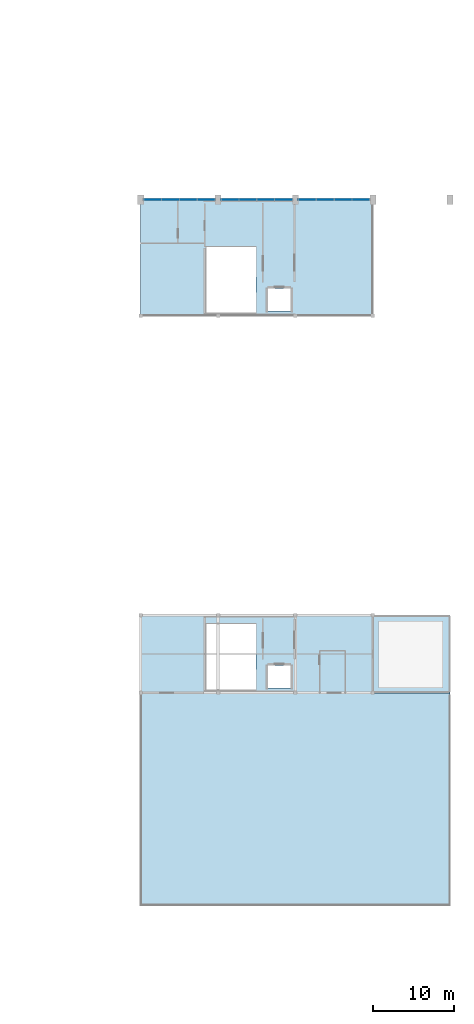
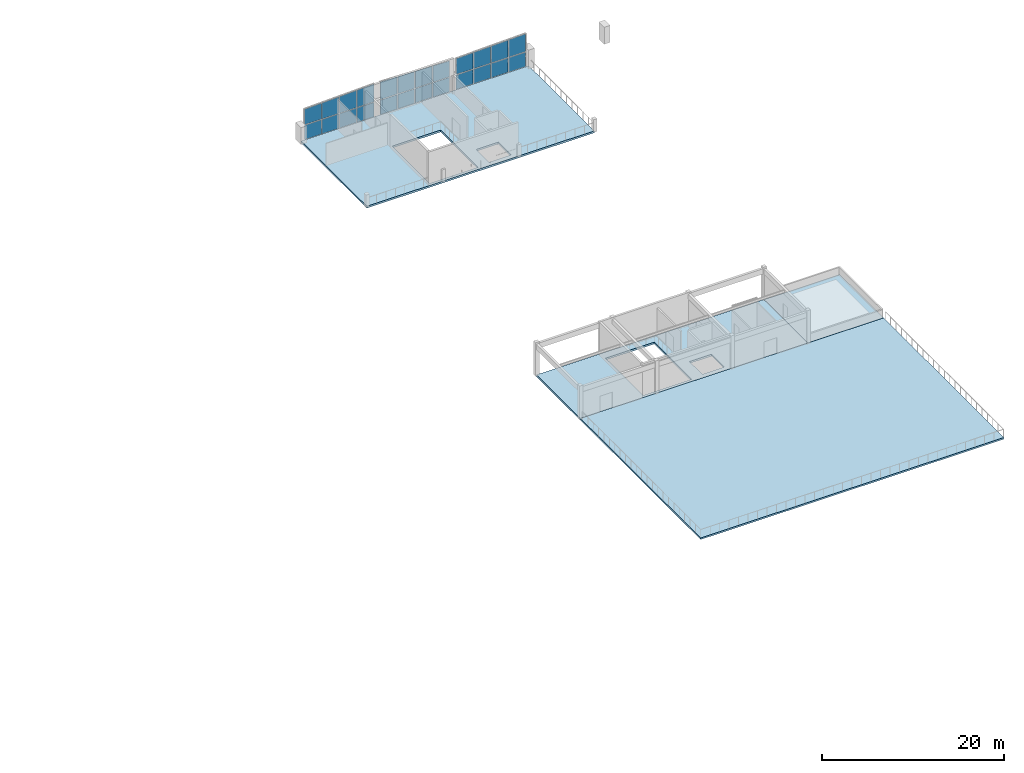
# One storey, part 13 of 22: 24 plates, 4 slabs, 3 elements without a shape of their own.
"""IFC4 building model written with IfcOpenShell, lengths in metres."""

from ifc_helpers import new_model, si_unit, direction, frame, origin, place, context, subcontext, project, spatial, polyline, outline, extrude, material, layer, layer_set, type_object, element, aggregate, save


model = new_model("IFC4")

# Units and contexts
model_context = context("Model", 3, precision=1e-05, world=origin(), true_north=direction((0.0, 1.0)))
body_context = subcontext(model_context, "Body", "Model", "MODEL_VIEW")
ifc_project = project(units=[si_unit("LENGTHUNIT", "METRE"), si_unit("AREAUNIT", "SQUARE_METRE"), si_unit("VOLUMEUNIT", "CUBIC_METRE"), si_unit("PLANEANGLEUNIT", "RADIAN"), si_unit("MASSUNIT", "GRAM", prefix="KILO")], contexts=[model_context])

# Site, building, storey
site_placement = place(None, origin())
site = spatial("IfcSite", under=ifc_project, at=site_placement, CompositionType="ELEMENT")
building_placement = place(site_placement, origin())
building = spatial("IfcBuilding", under=site, at=building_placement, Name="Suirenkawa Promenade Aquatics Centre", CompositionType="ELEMENT")
storey_placement = place(building_placement, frame((0.0, 0.0, 14.10009765625)))
storey = spatial("IfcBuildingStorey", under=building, at=storey_placement, Name="L03", CompositionType="ELEMENT", Elevation=14.10009765625)

# Curtain wall, plates
ifc_material_1 = material(Name="Anodised aluminium 6063-T6", Category="aluminium")
curtain_wall_type = type_object("IfcCurtainWallType", Name="CWAT-V2N-17", PredefinedType="NOTDEFINED", material=ifc_material_1)
curtain_wall_1_placement = place(storey_placement, origin())
curtain_wall_1 = element("IfcCurtainWall", 1, at=curtain_wall_1_placement, inside=storey, type_object=curtain_wall_type, Name="Curtain wall CWA-17 CW-036", PredefinedType="NOTDEFINED")
ifc_material_2 = material(Name="Ceramic-fritted low-SHGC double glazing", Category="glass")
ifc_layer_1 = layer(ifc_material_2, 0.031982421875, Name="Ceramic-fritted low-SHGC double glazing", Category="glass")
ifc_layer_set_1 = layer_set([ifc_layer_1], Name="Ceramic-fritted low-SHGC double glazing")
plate_type = type_object("IfcPlateType", Name="CWP-CLER-32", PredefinedType="CURTAIN_PANEL", material=ifc_layer_set_1)
plate_1_placement = place(storey_placement, frame((156.3740234375, 100.800048828125, 0.039794921875), z_axis=(0.0, 0.0, 1.0), x_axis=(1.0, 0.0, 0.0)))
plate_1 = element("IfcPlate", 2, at=plate_1_placement, type_object=plate_type, Name="Glazed panel CP-03 CWP-00753", PredefinedType="CURTAIN_PANEL", context=body_context, shape_type="SweptSolid", body=[
    extrude(outline(polyline([(0.0400390625, 0.0), (2.173095703125, 0.0), (2.173095703125, 1.920166015625), (0.0400390625, 1.920166015625), (0.0400390625, 0.0)])), frame((0.0, 0.01611328125, 0.0), z_axis=(0.0, -1.0, 0.0), x_axis=(1.0, 0.0, 0.0)), (0.0, 0.0, 1.0), 0.031982421875),
])
plate_2_placement = place(storey_placement, frame((156.3740234375, 100.800048828125, 2.039794921875), z_axis=(0.0, 0.0, 1.0), x_axis=(1.0, 0.0, 0.0)))
plate_2 = element("IfcPlate", 3, at=plate_2_placement, type_object=plate_type, Name="Top glazed panel CP-03 CWP-00754", PredefinedType="CURTAIN_PANEL", context=body_context, shape_type="SweptSolid", body=[
    extrude(outline(polyline([(0.0400390625, 0.0), (2.173095703125, 0.0), (2.173095703125, 2.14501953125), (0.0400390625, 2.070068359375), (0.0400390625, 0.0)])), frame((0.0, 0.01611328125, 0.0), z_axis=(0.0, -1.0, 0.0), x_axis=(1.0, 0.0, 0.0)), (0.0, 0.0, 1.0), 0.031982421875),
])
plate_3_placement = place(storey_placement, frame((158.5869140625, 100.800048828125, 0.039794921875), z_axis=(0.0, 0.0, 1.0), x_axis=(1.0, 0.0, 0.0)))
plate_3 = element("IfcPlate", 4, at=plate_3_placement, type_object=plate_type, Name="Glazed panel CP-03 CWP-00755", PredefinedType="CURTAIN_PANEL", context=body_context, shape_type="SweptSolid", body=[
    extrude(outline(polyline([(0.0400390625, 0.0), (2.173095703125, 0.0), (2.173095703125, 1.920166015625), (0.0400390625, 1.920166015625), (0.0400390625, 0.0)])), frame((0.0, 0.01611328125, 0.0), z_axis=(0.0, -1.0, 0.0), x_axis=(1.0, 0.0, 0.0)), (0.0, 0.0, 1.0), 0.031982421875),
])
plate_4_placement = place(storey_placement, frame((158.5869140625, 100.800048828125, 2.039794921875), z_axis=(0.0, 0.0, 1.0), x_axis=(1.0, 0.0, 0.0)))
plate_4 = element("IfcPlate", 5, at=plate_4_placement, type_object=plate_type, Name="Top glazed panel CP-03 CWP-00756", PredefinedType="CURTAIN_PANEL", context=body_context, shape_type="SweptSolid", body=[
    extrude(outline(polyline([(0.0400390625, 0.0), (2.173095703125, 0.0), (2.173095703125, 2.22021484375), (0.0400390625, 2.14501953125), (0.0400390625, 0.0)])), frame((0.0, 0.01611328125, 0.0), z_axis=(0.0, -1.0, 0.0), x_axis=(1.0, 0.0, 0.0)), (0.0, 0.0, 1.0), 0.031982421875),
])
plate_5_placement = place(storey_placement, frame((160.800048828125, 100.800048828125, 0.039794921875), z_axis=(0.0, 0.0, 1.0), x_axis=(1.0, 0.0, 0.0)))
plate_5 = element("IfcPlate", 6, at=plate_5_placement, type_object=plate_type, Name="Glazed panel CP-03 CWP-00757", PredefinedType="CURTAIN_PANEL", context=body_context, shape_type="SweptSolid", body=[
    extrude(outline(polyline([(0.0400390625, 0.0), (2.173095703125, 0.0), (2.173095703125, 1.920166015625), (0.0400390625, 1.920166015625), (0.0400390625, 0.0)])), frame((0.0, 0.01611328125, 0.0), z_axis=(0.0, -1.0, 0.0), x_axis=(1.0, 0.0, 0.0)), (0.0, 0.0, 1.0), 0.031982421875),
])
plate_6_placement = place(storey_placement, frame((160.800048828125, 100.800048828125, 2.039794921875), z_axis=(0.0, 0.0, 1.0), x_axis=(1.0, 0.0, 0.0)))
plate_6 = element("IfcPlate", 7, at=plate_6_placement, type_object=plate_type, Name="Top glazed panel CP-03 CWP-00758", PredefinedType="CURTAIN_PANEL", context=body_context, shape_type="SweptSolid", body=[
    extrude(outline(polyline([(0.0400390625, 0.0), (2.173095703125, 0.0), (2.173095703125, 2.295166015625), (0.0400390625, 2.22021484375), (0.0400390625, 0.0)])), frame((0.0, 0.01611328125, 0.0), z_axis=(0.0, -1.0, 0.0), x_axis=(1.0, 0.0, 0.0)), (0.0, 0.0, 1.0), 0.031982421875),
])
plate_7_placement = place(storey_placement, frame((163.012939453125, 100.800048828125, 0.039794921875), z_axis=(0.0, 0.0, 1.0), x_axis=(1.0, 0.0, 0.0)))
plate_7 = element("IfcPlate", 8, at=plate_7_placement, type_object=plate_type, Name="Glazed panel CP-03 CWP-00759", PredefinedType="CURTAIN_PANEL", context=body_context, shape_type="SweptSolid", body=[
    extrude(outline(polyline([(0.0400390625, 0.0), (2.173095703125, 0.0), (2.173095703125, 1.920166015625), (0.0400390625, 1.920166015625), (0.0400390625, 0.0)])), frame((0.0, 0.01611328125, 0.0), z_axis=(0.0, -1.0, 0.0), x_axis=(1.0, 0.0, 0.0)), (0.0, 0.0, 1.0), 0.031982421875),
])
plate_8_placement = place(storey_placement, frame((163.012939453125, 100.800048828125, 2.039794921875), z_axis=(0.0, 0.0, 1.0), x_axis=(1.0, 0.0, 0.0)))
plate_8 = element("IfcPlate", 9, at=plate_8_placement, type_object=plate_type, Name="Top glazed panel CP-03 CWP-00760", PredefinedType="CURTAIN_PANEL", context=body_context, shape_type="SweptSolid", body=[
    extrude(outline(polyline([(0.0400390625, 0.0), (2.173095703125, 0.0), (2.173095703125, 2.3701171875), (0.0400390625, 2.295166015625), (0.0400390625, 0.0)])), frame((0.0, 0.01611328125, 0.0), z_axis=(0.0, -1.0, 0.0), x_axis=(1.0, 0.0, 0.0)), (0.0, 0.0, 1.0), 0.031982421875),
])
aggregate(curtain_wall_1, [plate_1, plate_2, plate_3, plate_4, plate_5, plate_6, plate_7, plate_8])

curtain_wall_2_placement = place(storey_placement, origin())
curtain_wall_2 = element("IfcCurtainWall", 10, at=curtain_wall_2_placement, inside=storey, type_object=curtain_wall_type, Name="Curtain wall CWA-17 CW-040", PredefinedType="NOTDEFINED")
plate_9_placement = place(storey_placement, frame((165.97412109375, 100.800048828125, 0.039794921875), z_axis=(0.0, 0.0, 1.0), x_axis=(1.0, 0.0, 0.0)))
plate_9 = element("IfcPlate", 11, at=plate_9_placement, type_object=plate_type, Name="Glazed panel CP-03 CWP-00831", PredefinedType="CURTAIN_PANEL", context=body_context, shape_type="SweptSolid", body=[
    extrude(outline(polyline([(0.0400390625, 0.0), (2.173095703125, 0.0), (2.173095703125, 1.920166015625), (0.0400390625, 1.920166015625), (0.0400390625, 0.0)])), frame((0.0, 0.01611328125, 0.0), z_axis=(0.0, -1.0, 0.0), x_axis=(1.0, 0.0, 0.0)), (0.0, 0.0, 1.0), 0.031982421875),
])
plate_10_placement = place(storey_placement, frame((165.97412109375, 100.800048828125, 2.039794921875), z_axis=(0.0, 0.0, 1.0), x_axis=(1.0, 0.0, 0.0)))
plate_10 = element("IfcPlate", 12, at=plate_10_placement, type_object=plate_type, Name="Top glazed panel CP-03 CWP-00832", PredefinedType="CURTAIN_PANEL", context=body_context, shape_type="SweptSolid", body=[
    extrude(outline(polyline([(0.0400390625, 0.0), (2.173095703125, 0.0), (2.173095703125, 2.3076171875), (0.0400390625, 2.3701171875), (0.0400390625, 0.0)])), frame((0.0, 0.01611328125, 0.0), z_axis=(0.0, -1.0, 0.0), x_axis=(1.0, 0.0, 0.0)), (0.0, 0.0, 1.0), 0.031982421875),
])
plate_11_placement = place(storey_placement, frame((168.18701171875, 100.800048828125, 0.039794921875), z_axis=(0.0, 0.0, 1.0), x_axis=(1.0, 0.0, 0.0)))
plate_11 = element("IfcPlate", 13, at=plate_11_placement, type_object=plate_type, Name="Glazed panel CP-03 CWP-00833", PredefinedType="CURTAIN_PANEL", context=body_context, shape_type="SweptSolid", body=[
    extrude(outline(polyline([(0.0400390625, 0.0), (2.173095703125, 0.0), (2.173095703125, 1.920166015625), (0.0400390625, 1.920166015625), (0.0400390625, 0.0)])), frame((0.0, 0.01611328125, 0.0), z_axis=(0.0, -1.0, 0.0), x_axis=(1.0, 0.0, 0.0)), (0.0, 0.0, 1.0), 0.031982421875),
])
plate_12_placement = place(storey_placement, frame((168.18701171875, 100.800048828125, 2.039794921875), z_axis=(0.0, 0.0, 1.0), x_axis=(1.0, 0.0, 0.0)))
plate_12 = element("IfcPlate", 14, at=plate_12_placement, type_object=plate_type, Name="Top glazed panel CP-03 CWP-00834", PredefinedType="CURTAIN_PANEL", context=body_context, shape_type="SweptSolid", body=[
    extrude(outline(polyline([(0.0400390625, 0.0), (2.173095703125, 0.0), (2.173095703125, 2.2451171875), (0.0400390625, 2.3076171875), (0.0400390625, 0.0)])), frame((0.0, 0.01611328125, 0.0), z_axis=(0.0, -1.0, 0.0), x_axis=(1.0, 0.0, 0.0)), (0.0, 0.0, 1.0), 0.031982421875),
])
plate_13_placement = place(storey_placement, frame((170.39990234375, 100.800048828125, 0.039794921875), z_axis=(0.0, 0.0, 1.0), x_axis=(1.0, 0.0, 0.0)))
plate_13 = element("IfcPlate", 15, at=plate_13_placement, type_object=plate_type, Name="Glazed panel CP-03 CWP-00835", PredefinedType="CURTAIN_PANEL", context=body_context, shape_type="SweptSolid", body=[
    extrude(outline(polyline([(0.0400390625, 0.0), (2.173095703125, 0.0), (2.173095703125, 1.920166015625), (0.0400390625, 1.920166015625), (0.0400390625, 0.0)])), frame((0.0, 0.01611328125, 0.0), z_axis=(0.0, -1.0, 0.0), x_axis=(1.0, 0.0, 0.0)), (0.0, 0.0, 1.0), 0.031982421875),
])
plate_14_placement = place(storey_placement, frame((170.39990234375, 100.800048828125, 2.039794921875), z_axis=(0.0, 0.0, 1.0), x_axis=(1.0, 0.0, 0.0)))
plate_14 = element("IfcPlate", 16, at=plate_14_placement, type_object=plate_type, Name="Top glazed panel CP-03 CWP-00836", PredefinedType="CURTAIN_PANEL", context=body_context, shape_type="SweptSolid", body=[
    extrude(outline(polyline([(0.0400390625, 0.0), (2.173095703125, 0.0), (2.173095703125, 2.1826171875), (0.0400390625, 2.2451171875), (0.0400390625, 0.0)])), frame((0.0, 0.01611328125, 0.0), z_axis=(0.0, -1.0, 0.0), x_axis=(1.0, 0.0, 0.0)), (0.0, 0.0, 1.0), 0.031982421875),
])
plate_15_placement = place(storey_placement, frame((172.613037109375, 100.800048828125, 0.039794921875), z_axis=(0.0, 0.0, 1.0), x_axis=(1.0, 0.0, 0.0)))
plate_15 = element("IfcPlate", 17, at=plate_15_placement, type_object=plate_type, Name="Glazed panel CP-03 CWP-00837", PredefinedType="CURTAIN_PANEL", context=body_context, shape_type="SweptSolid", body=[
    extrude(outline(polyline([(0.0400390625, 0.0), (2.173095703125, 0.0), (2.173095703125, 1.920166015625), (0.0400390625, 1.920166015625), (0.0400390625, 0.0)])), frame((0.0, 0.01611328125, 0.0), z_axis=(0.0, -1.0, 0.0), x_axis=(1.0, 0.0, 0.0)), (0.0, 0.0, 1.0), 0.031982421875),
])
plate_16_placement = place(storey_placement, frame((172.613037109375, 100.800048828125, 2.039794921875), z_axis=(0.0, 0.0, 1.0), x_axis=(1.0, 0.0, 0.0)))
plate_16 = element("IfcPlate", 18, at=plate_16_placement, type_object=plate_type, Name="Top glazed panel CP-03 CWP-00838", PredefinedType="CURTAIN_PANEL", context=body_context, shape_type="SweptSolid", body=[
    extrude(outline(polyline([(0.0400390625, 0.0), (2.173095703125, 0.0), (2.173095703125, 2.1201171875), (0.0400390625, 2.1826171875), (0.0400390625, 0.0)])), frame((0.0, 0.01611328125, 0.0), z_axis=(0.0, -1.0, 0.0), x_axis=(1.0, 0.0, 0.0)), (0.0, 0.0, 1.0), 0.031982421875),
])
aggregate(curtain_wall_2, [plate_9, plate_10, plate_11, plate_12, plate_13, plate_14, plate_15, plate_16])

curtain_wall_3_placement = place(storey_placement, origin())
curtain_wall_3 = element("IfcCurtainWall", 19, at=curtain_wall_3_placement, inside=storey, type_object=curtain_wall_type, Name="Curtain wall CWA-17 CW-042", PredefinedType="NOTDEFINED")
plate_17_placement = place(storey_placement, frame((175.573974609375, 100.800048828125, 0.039794921875), z_axis=(0.0, 0.0, 1.0), x_axis=(1.0, 0.0, 0.0)))
plate_17 = element("IfcPlate", 20, at=plate_17_placement, type_object=plate_type, Name="Glazed panel CP-03 CWP-00875", PredefinedType="CURTAIN_PANEL", context=body_context, shape_type="SweptSolid", body=[
    extrude(outline(polyline([(0.0400390625, 0.0), (2.173095703125, 0.0), (2.173095703125, 1.920166015625), (0.0400390625, 1.920166015625), (0.0400390625, 0.0)])), frame((0.0, 0.01611328125, 0.0), z_axis=(0.0, -1.0, 0.0), x_axis=(1.0, 0.0, 0.0)), (0.0, 0.0, 1.0), 0.031982421875),
])
plate_18_placement = place(storey_placement, frame((175.573974609375, 100.800048828125, 2.039794921875), z_axis=(0.0, 0.0, 1.0), x_axis=(1.0, 0.0, 0.0)))
plate_18 = element("IfcPlate", 21, at=plate_18_placement, type_object=plate_type, Name="Top glazed panel CP-03 CWP-00876", PredefinedType="CURTAIN_PANEL", context=body_context, shape_type="SweptSolid", body=[
    extrude(outline(polyline([(0.0400390625, 0.0), (2.173095703125, 0.0), (2.173095703125, 2.1826171875), (0.0400390625, 2.1201171875), (0.0400390625, 0.0)])), frame((0.0, 0.01611328125, 0.0), z_axis=(0.0, -1.0, 0.0), x_axis=(1.0, 0.0, 0.0)), (0.0, 0.0, 1.0), 0.031982421875),
])
plate_19_placement = place(storey_placement, frame((177.787109375, 100.800048828125, 0.039794921875), z_axis=(0.0, 0.0, 1.0), x_axis=(1.0, 0.0, 0.0)))
plate_19 = element("IfcPlate", 22, at=plate_19_placement, type_object=plate_type, Name="Glazed panel CP-03 CWP-00877", PredefinedType="CURTAIN_PANEL", context=body_context, shape_type="SweptSolid", body=[
    extrude(outline(polyline([(0.0400390625, 0.0), (2.173095703125, 0.0), (2.173095703125, 1.920166015625), (0.0400390625, 1.920166015625), (0.0400390625, 0.0)])), frame((0.0, 0.01611328125, 0.0), z_axis=(0.0, -1.0, 0.0), x_axis=(1.0, 0.0, 0.0)), (0.0, 0.0, 1.0), 0.031982421875),
])
plate_20_placement = place(storey_placement, frame((177.787109375, 100.800048828125, 2.039794921875), z_axis=(0.0, 0.0, 1.0), x_axis=(1.0, 0.0, 0.0)))
plate_20 = element("IfcPlate", 23, at=plate_20_placement, type_object=plate_type, Name="Top glazed panel CP-03 CWP-00878", PredefinedType="CURTAIN_PANEL", context=body_context, shape_type="SweptSolid", body=[
    extrude(outline(polyline([(0.0400390625, 0.0), (2.173095703125, 0.0), (2.173095703125, 2.2451171875), (0.0400390625, 2.1826171875), (0.0400390625, 0.0)])), frame((0.0, 0.01611328125, 0.0), z_axis=(0.0, -1.0, 0.0), x_axis=(1.0, 0.0, 0.0)), (0.0, 0.0, 1.0), 0.031982421875),
])
plate_21_placement = place(storey_placement, frame((180.0, 100.800048828125, 0.039794921875), z_axis=(0.0, 0.0, 1.0), x_axis=(1.0, 0.0, 0.0)))
plate_21 = element("IfcPlate", 24, at=plate_21_placement, type_object=plate_type, Name="Glazed panel CP-03 CWP-00879", PredefinedType="CURTAIN_PANEL", context=body_context, shape_type="SweptSolid", body=[
    extrude(outline(polyline([(0.0400390625, 0.0), (2.173095703125, 0.0), (2.173095703125, 1.920166015625), (0.0400390625, 1.920166015625), (0.0400390625, 0.0)])), frame((0.0, 0.01611328125, 0.0), z_axis=(0.0, -1.0, 0.0), x_axis=(1.0, 0.0, 0.0)), (0.0, 0.0, 1.0), 0.031982421875),
])
plate_22_placement = place(storey_placement, frame((180.0, 100.800048828125, 2.039794921875), z_axis=(0.0, 0.0, 1.0), x_axis=(1.0, 0.0, 0.0)))
plate_22 = element("IfcPlate", 25, at=plate_22_placement, type_object=plate_type, Name="Top glazed panel CP-03 CWP-00880", PredefinedType="CURTAIN_PANEL", context=body_context, shape_type="SweptSolid", body=[
    extrude(outline(polyline([(0.0400390625, 0.0), (2.173095703125, 0.0), (2.173095703125, 2.3076171875), (0.0400390625, 2.2451171875), (0.0400390625, 0.0)])), frame((0.0, 0.01611328125, 0.0), z_axis=(0.0, -1.0, 0.0), x_axis=(1.0, 0.0, 0.0)), (0.0, 0.0, 1.0), 0.031982421875),
])
plate_23_placement = place(storey_placement, frame((182.212890625, 100.800048828125, 0.039794921875), z_axis=(0.0, 0.0, 1.0), x_axis=(1.0, 0.0, 0.0)))
plate_23 = element("IfcPlate", 26, at=plate_23_placement, type_object=plate_type, Name="Glazed panel CP-03 CWP-00881", PredefinedType="CURTAIN_PANEL", context=body_context, shape_type="SweptSolid", body=[
    extrude(outline(polyline([(0.0400390625, 0.0), (2.173095703125, 0.0), (2.173095703125, 1.920166015625), (0.0400390625, 1.920166015625), (0.0400390625, 0.0)])), frame((0.0, 0.01611328125, 0.0), z_axis=(0.0, -1.0, 0.0), x_axis=(1.0, 0.0, 0.0)), (0.0, 0.0, 1.0), 0.031982421875),
])
plate_24_placement = place(storey_placement, frame((182.212890625, 100.800048828125, 2.039794921875), z_axis=(0.0, 0.0, 1.0), x_axis=(1.0, 0.0, 0.0)))
plate_24 = element("IfcPlate", 27, at=plate_24_placement, type_object=plate_type, Name="Top glazed panel CP-03 CWP-00882", PredefinedType="CURTAIN_PANEL", context=body_context, shape_type="SweptSolid", body=[
    extrude(outline(polyline([(0.0400390625, 0.0), (2.173095703125, 0.0), (2.173095703125, 2.3701171875), (0.0400390625, 2.3076171875), (0.0400390625, 0.0)])), frame((0.0, 0.01611328125, 0.0), z_axis=(0.0, -1.0, 0.0), x_axis=(1.0, 0.0, 0.0)), (0.0, 0.0, 1.0), 0.031982421875),
])
aggregate(curtain_wall_3, [plate_17, plate_18, plate_19, plate_20, plate_21, plate_22, plate_23, plate_24])

# Slabs
ifc_material_3 = material(Name="Concrete M35", Category="concrete")
ifc_layer_2 = layer(ifc_material_3, 0.22998046875, Name="Concrete M35", Category="concrete")
ifc_layer_set_2 = layer_set([ifc_layer_2], Name="Concrete M35")
slab_type_1 = type_object("IfcSlabType", Name="SLT-ROOF-FLAT-230", PredefinedType="ROOF", material=ifc_layer_set_2)
slab_1_placement = place(storey_placement, frame((0.0, 0.0, -0.22998046875)))
element("IfcSlab", 28, at=slab_1_placement, inside=storey, type_object=slab_type_1, Name="V4 east roof slab SL-ROOF-04 SL-0061", PredefinedType="ROOF", context=body_context, shape_type="SweptSolid", body=[
    extrude(outline(polyline([(184.800048828125, 39.60009765625), (194.39990234375, 39.60009765625), (194.39990234375, 49.199951171875), (184.800048828125, 49.199951171875), (184.800048828125, 39.60009765625)])), origin(), (0.0, 0.0, 1.0), 0.22998046875),
])
ifc_material_4 = material(Name="Waterproof concrete M40", Category="concrete")
ifc_layer_3 = layer(ifc_material_4, 0.219970703125, Name="Waterproof concrete M40", Category="concrete")
ifc_layer_set_3 = layer_set([ifc_layer_3], Name="Waterproof concrete M40")
slab_type_2 = type_object("IfcSlabType", Name="SLT-TERR-220", PredefinedType="FLOOR", material=ifc_layer_set_3)
slab_2_placement = place(storey_placement, frame((0.0, 0.0, -0.22021484375)))
element("IfcSlab", 29, at=slab_2_placement, inside=storey, type_object=slab_type_2, Name="V4 planted athlete roof garden SL-EXT-01 SL-0060", PredefinedType="FLOOR", context=body_context, shape_type="SweptSolid", body=[
    extrude(outline(polyline([(156.0, 13.199951171875), (194.39990234375, 13.199951171875), (194.39990234375, 39.60009765625), (156.0, 39.60009765625), (156.0, 13.199951171875)])), origin(), (0.0, 0.0, 1.0), 0.22021484375),
])
ifc_layer_4 = layer(ifc_material_3, 0.25, Name="Concrete M35", Category="concrete")
ifc_layer_set_4 = layer_set([ifc_layer_4], Name="Concrete M35")
slab_type_3 = type_object("IfcSlabType", Name="SLT-UPPER-250", PredefinedType="FLOOR", material=ifc_layer_set_4)
slab_3_placement = place(storey_placement, frame((0.0, 0.0, -0.25)))
element("IfcSlab", 30, at=slab_3_placement, inside=storey, type_object=slab_type_3, Name="V2 diving gallery L03 SL-FLR-05 SL-0044", PredefinedType="FLOOR", context=body_context, shape_type="SweptSolid", body=[
    extrude(outline(polyline([(156.0, 86.39990234375), (184.800048828125, 86.39990234375), (184.800048828125, 100.800048828125), (156.0, 100.800048828125), (156.0, 86.39990234375)]), holes=[polyline([(164.159912109375, 86.760009765625), (170.300048828125, 86.760009765625), (170.300048828125, 94.9599609375), (164.159912109375, 94.9599609375), (164.159912109375, 86.760009765625)]), polyline([(171.800048828125, 87.0), (174.60009765625, 87.0), (174.60009765625, 89.800048828125), (171.800048828125, 89.800048828125), (171.800048828125, 87.0)])]), origin(), (0.0, 0.0, 1.0), 0.25),
])
slab_4_placement = place(storey_placement, frame((0.0, 0.0, -0.25)))
element("IfcSlab", 31, at=slab_4_placement, inside=storey, type_object=slab_type_3, Name="V4 roof garden lobby SL-FLR-05 SL-0059", PredefinedType="FLOOR", context=body_context, shape_type="SweptSolid", body=[
    extrude(outline(polyline([(156.0, 39.60009765625), (184.800048828125, 39.60009765625), (184.800048828125, 49.199951171875), (156.0, 49.199951171875), (156.0, 39.60009765625)]), holes=[polyline([(164.159912109375, 39.9599609375), (170.300048828125, 39.9599609375), (170.300048828125, 48.159912109375), (164.159912109375, 48.159912109375), (164.159912109375, 39.9599609375)]), polyline([(171.800048828125, 40.199951171875), (174.60009765625, 40.199951171875), (174.60009765625, 43.0), (171.800048828125, 43.0), (171.800048828125, 40.199951171875)])]), origin(), (0.0, 0.0, 1.0), 0.25),
])

save(model, "model.ifc")
